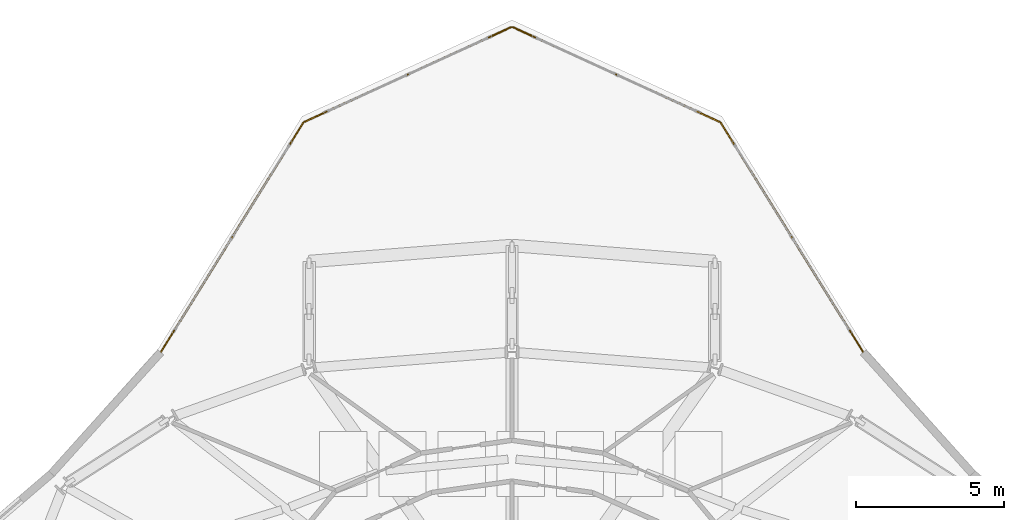
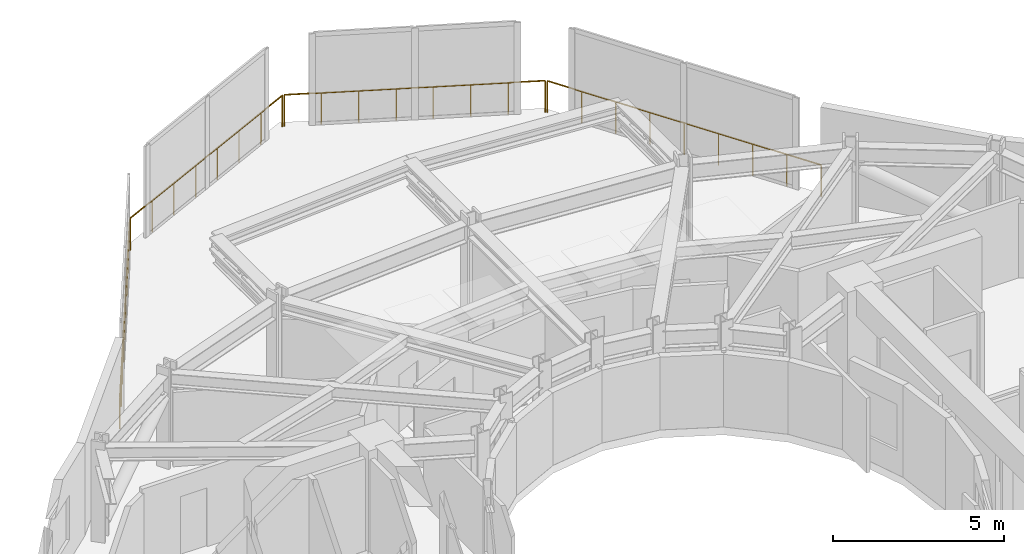
# One storey, part 19 of 19: 4 railings.
"""IFC4 building model written with IfcOpenShell, lengths in metres."""

from ifc_helpers import new_model, si_unit, direction, frame, origin, origin_2d, place, context, subcontext, project, spatial, circle, extrude, material, type_object, element, save


model = new_model("IFC4")

# Units and contexts
model_context = context("Model", 3, precision=1e-05, world=origin(), true_north=direction((0.0, 1.0)))
body_context = subcontext(model_context, "Body", "Model", "MODEL_VIEW")
ifc_project = project(units=[si_unit("LENGTHUNIT", "METRE"), si_unit("AREAUNIT", "SQUARE_METRE"), si_unit("VOLUMEUNIT", "CUBIC_METRE"), si_unit("PLANEANGLEUNIT", "RADIAN"), si_unit("MASSUNIT", "GRAM", prefix="KILO")], contexts=[model_context])

# Site, building, storey
site_placement = place(None, origin())
site = spatial("IfcSite", under=ifc_project, at=site_placement, CompositionType="ELEMENT")
building_placement = place(site_placement, origin())
building = spatial("IfcBuilding", under=site, at=building_placement, Name="Solvane Sanctuary Tower", CompositionType="ELEMENT")
storey_placement = place(building_placement, frame((0.0, 0.0, 249.60009765625)))
storey = spatial("IfcBuildingStorey", under=building, at=storey_placement, Name="L76", CompositionType="ELEMENT", Elevation=249.60009765625)

# Railings
ifc_material = material(Name="Architectural Stainless Steel 316", Category="steel")
railing_type = type_object("IfcRailingType", Name="Railing GR-BALC-1150", PredefinedType="BALUSTRADE", material=ifc_material)
railing_1_placement = place(storey_placement, frame((43.854248046875, 38.695556640625, 0.0)))
element("IfcRailing", 1, at=railing_1_placement, inside=storey, type_object=railing_type, Name="L76 Curtain-Wall Perimeter Sill Guard 04", PredefinedType="BALUSTRADE", context=body_context, shape_type="SweptSolid", body=[
    extrude(circle(Radius=0.02392578125, at=origin_2d()), frame((0.0, 0.0, 1.1259765625), z_axis=(-0.527392269957, 0.84962191214, 0.0), x_axis=(-0.84962191214, -0.527392269957, 0.0)), (0.0, 0.0, 1.0), 9.0927734375),
    extrude(circle(Radius=0.02099609375, at=origin_2d()), origin(), (0.0, 0.0, 1.0), 1.101806640625),
    extrude(circle(Radius=0.02099609375, at=origin_2d()), frame((-0.599365234375, 0.965576171875, 0.0)), (0.0, 0.0, 1.0), 1.101806640625),
    extrude(circle(Radius=0.02099609375, at=origin_2d()), frame((-1.19873046875, 1.931396484375, 0.0)), (0.0, 0.0, 1.0), 1.101806640625),
    extrude(circle(Radius=0.02099609375, at=origin_2d()), frame((-1.79833984375, 2.89697265625, 0.0)), (0.0, 0.0, 1.0), 1.101806640625),
    extrude(circle(Radius=0.02099609375, at=origin_2d()), frame((-2.397705078125, 3.86279296875, 0.0)), (0.0, 0.0, 1.0), 1.101806640625),
    extrude(circle(Radius=0.02099609375, at=origin_2d()), frame((-2.9970703125, 4.828369140625, 0.0)), (0.0, 0.0, 1.0), 1.101806640625),
    extrude(circle(Radius=0.02099609375, at=origin_2d()), frame((-3.5966796875, 5.7939453125, 0.0)), (0.0, 0.0, 1.0), 1.101806640625),
    extrude(circle(Radius=0.02099609375, at=origin_2d()), frame((-4.196044921875, 6.759765625, 0.0)), (0.0, 0.0, 1.0), 1.101806640625),
    extrude(circle(Radius=0.02099609375, at=origin_2d()), frame((-4.79541015625, 7.725341796875, 0.0)), (0.0, 0.0, 1.0), 1.101806640625),
])
railing_2_placement = place(storey_placement, frame((39.015625, 46.458984375, 0.0)))
element("IfcRailing", 2, at=railing_2_placement, inside=storey, type_object=railing_type, Name="L76 Curtain-Wall Perimeter Sill Guard 05", PredefinedType="BALUSTRADE", context=body_context, shape_type="SweptSolid", body=[
    extrude(circle(Radius=0.02392578125, at=origin_2d()), frame((0.0, 0.0, 1.1259765625), z_axis=(-0.90926124068, 0.416225895634, 0.0), x_axis=(-0.416225895634, -0.90926124068, 0.0)), (0.0, 0.0, 1.0), 7.685791015625),
    extrude(circle(Radius=0.02099609375, at=origin_2d()), origin(), (0.0, 0.0, 1.0), 1.101806640625),
    extrude(circle(Radius=0.02099609375, at=origin_2d()), frame((-0.998291015625, 0.45703125, 0.0)), (0.0, 0.0, 1.0), 1.101806640625),
    extrude(circle(Radius=0.02099609375, at=origin_2d()), frame((-1.99658203125, 0.9140625, 0.0)), (0.0, 0.0, 1.0), 1.101806640625),
    extrude(circle(Radius=0.02099609375, at=origin_2d()), frame((-2.994873046875, 1.37109375, 0.0)), (0.0, 0.0, 1.0), 1.101806640625),
    extrude(circle(Radius=0.02099609375, at=origin_2d()), frame((-3.993408203125, 1.827880859375, 0.0)), (0.0, 0.0, 1.0), 1.101806640625),
    extrude(circle(Radius=0.02099609375, at=origin_2d()), frame((-4.99169921875, 2.284912109375, 0.0)), (0.0, 0.0, 1.0), 1.101806640625),
    extrude(circle(Radius=0.02099609375, at=origin_2d()), frame((-5.989990234375, 2.741943359375, 0.0)), (0.0, 0.0, 1.0), 1.101806640625),
    extrude(circle(Radius=0.02099609375, at=origin_2d()), frame((-6.98828125, 3.198974609375, 0.0)), (0.0, 0.0, 1.0), 1.101806640625),
])
railing_3_placement = place(storey_placement, frame((31.97265625, 49.657958984375, 0.0)))
element("IfcRailing", 3, at=railing_3_placement, inside=storey, type_object=railing_type, Name="L76 Curtain-Wall Perimeter Sill Guard 06", PredefinedType="BALUSTRADE", context=body_context, shape_type="SweptSolid", body=[
    extrude(circle(Radius=0.02392578125, at=origin_2d()), frame((0.0, 0.0, 1.1259765625), z_axis=(-0.90926124068, -0.416225895634, 0.0), x_axis=(0.416225895634, -0.90926124068, 0.0)), (0.0, 0.0, 1.0), 7.685791015625),
    extrude(circle(Radius=0.02099609375, at=origin_2d()), origin(), (0.0, 0.0, 1.0), 1.101806640625),
    extrude(circle(Radius=0.02099609375, at=origin_2d()), frame((-0.998291015625, -0.45703125, 0.0)), (0.0, 0.0, 1.0), 1.101806640625),
    extrude(circle(Radius=0.02099609375, at=origin_2d()), frame((-1.99658203125, -0.9140625, 0.0)), (0.0, 0.0, 1.0), 1.101806640625),
    extrude(circle(Radius=0.02099609375, at=origin_2d()), frame((-2.994873046875, -1.37109375, 0.0)), (0.0, 0.0, 1.0), 1.101806640625),
    extrude(circle(Radius=0.02099609375, at=origin_2d()), frame((-3.993408203125, -1.827880859375, 0.0)), (0.0, 0.0, 1.0), 1.101806640625),
    extrude(circle(Radius=0.02099609375, at=origin_2d()), frame((-4.99169921875, -2.284912109375, 0.0)), (0.0, 0.0, 1.0), 1.101806640625),
    extrude(circle(Radius=0.02099609375, at=origin_2d()), frame((-5.989990234375, -2.741943359375, 0.0)), (0.0, 0.0, 1.0), 1.101806640625),
    extrude(circle(Radius=0.02099609375, at=origin_2d()), frame((-6.98828125, -3.198974609375, 0.0)), (0.0, 0.0, 1.0), 1.101806640625),
])
railing_4_placement = place(storey_placement, frame((24.941162109375, 46.4208984375, 0.0)))
element("IfcRailing", 4, at=railing_4_placement, inside=storey, type_object=railing_type, Name="L76 Curtain-Wall Perimeter Sill Guard 07", PredefinedType="BALUSTRADE", context=body_context, shape_type="SweptSolid", body=[
    extrude(circle(Radius=0.02392578125, at=origin_2d()), frame((0.0, 0.0, 1.1259765625), z_axis=(-0.527392269957, -0.84962191214, 0.0), x_axis=(0.84962191214, -0.527392269957, 0.0)), (0.0, 0.0, 1.0), 9.0927734375),
    extrude(circle(Radius=0.02099609375, at=origin_2d()), origin(), (0.0, 0.0, 1.0), 1.101806640625),
    extrude(circle(Radius=0.02099609375, at=origin_2d()), frame((-0.599365234375, -0.965576171875, 0.0)), (0.0, 0.0, 1.0), 1.101806640625),
    extrude(circle(Radius=0.02099609375, at=origin_2d()), frame((-1.19873046875, -1.931396484375, 0.0)), (0.0, 0.0, 1.0), 1.101806640625),
    extrude(circle(Radius=0.02099609375, at=origin_2d()), frame((-1.79833984375, -2.89697265625, 0.0)), (0.0, 0.0, 1.0), 1.101806640625),
    extrude(circle(Radius=0.02099609375, at=origin_2d()), frame((-2.397705078125, -3.86279296875, 0.0)), (0.0, 0.0, 1.0), 1.101806640625),
    extrude(circle(Radius=0.02099609375, at=origin_2d()), frame((-2.9970703125, -4.828369140625, 0.0)), (0.0, 0.0, 1.0), 1.101806640625),
    extrude(circle(Radius=0.02099609375, at=origin_2d()), frame((-3.5966796875, -5.7939453125, 0.0)), (0.0, 0.0, 1.0), 1.101806640625),
    extrude(circle(Radius=0.02099609375, at=origin_2d()), frame((-4.196044921875, -6.759765625, 0.0)), (0.0, 0.0, 1.0), 1.101806640625),
    extrude(circle(Radius=0.02099609375, at=origin_2d()), frame((-4.79541015625, -7.725341796875, 0.0)), (0.0, 0.0, 1.0), 1.101806640625),
])

save(model, "model.ifc")
